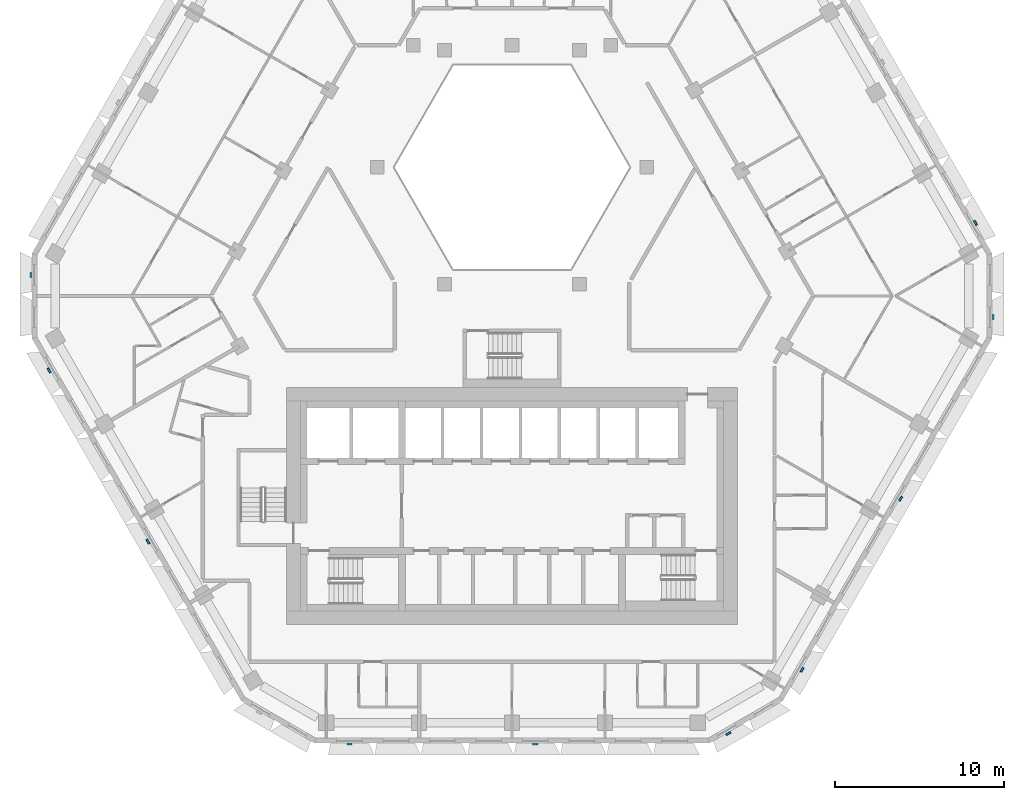
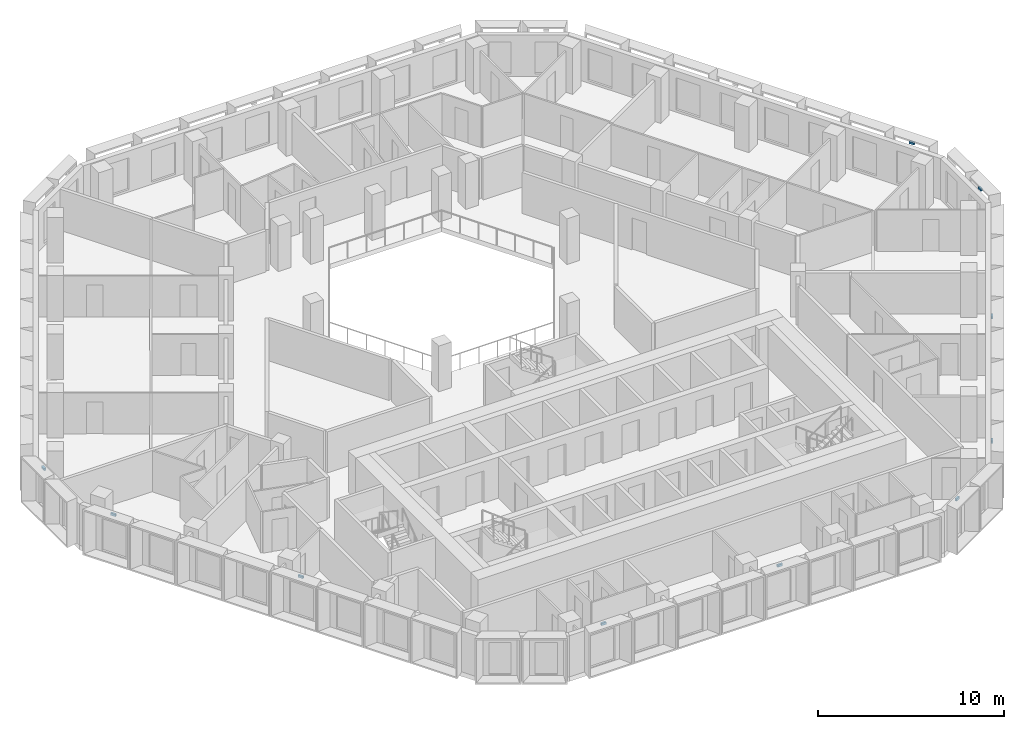
# One storey, part 11 of 18: 10 discrete accessories.
"""IFC4 building model written with IfcOpenShell, lengths in metres."""

from ifc_helpers import new_model, si_unit, direction, frame, origin, place, context, subcontext, project, spatial, polyline, outline, extrude, source, transform, mapped, material, type_object, type_shapes, element, save


model = new_model("IFC4")

# Units and contexts
model_context = context("Model", 3, precision=1e-05, world=origin(), true_north=direction((0.0, 1.0)))
body_context = subcontext(model_context, "Body", "Model", "MODEL_VIEW")
ifc_project = project(units=[si_unit("LENGTHUNIT", "METRE"), si_unit("AREAUNIT", "SQUARE_METRE"), si_unit("VOLUMEUNIT", "CUBIC_METRE"), si_unit("PLANEANGLEUNIT", "RADIAN"), si_unit("MASSUNIT", "GRAM", prefix="KILO")], contexts=[model_context])

# Site, building, storey
site_placement = place(None, origin())
site = spatial("IfcSite", under=ifc_project, at=site_placement, CompositionType="ELEMENT")
building_placement = place(site_placement, origin())
building = spatial("IfcBuilding", under=site, at=building_placement, Name="Beryl Residences", CompositionType="ELEMENT")
storey_placement = place(building_placement, frame((0.0, 0.0, 138.60009765625)))
storey = spatial("IfcBuildingStorey", under=building, at=storey_placement, Name="L42", CompositionType="ELEMENT", Elevation=138.60009765625)

# Discrete accessories
ifc_material = material(Name="Steel S355", Category="steel")
discrete_accessory_type = type_object("IfcDiscreteAccessoryType", Name="BR1 frame bracket 300 x 120 x 150 mm", PredefinedType="BRACKET", material=ifc_material)
shared_shape = source(origin(), body_context, "Body", "SweptSolid", [
    extrude(outline(polyline([(-0.14990234375, 0.0), (0.14990234375, 0.0), (0.14990234375, 0.1201171875), (-0.14990234375, 0.1201171875), (-0.14990234375, 0.0)])), origin(), (0.0, 0.0, 1.0), 0.14990234375),
])
type_shapes(discrete_accessory_type, [shared_shape])
for number, where, z_axis, x_axis, name in (
    (1, (-28.347900390625, 1.64990234375, 2.75), (0.0, 0.0, 1.0), (0.0, 1.0, 0.0), "BR1 bracket L42 NW-SW 1"),
    (2, (-27.27294921875, -3.9619140625, 2.75), (0.0, 0.0, 1.0), (-0.5, 0.866025403784, 0.0), "BR1 bracket L42 SW 1"),
    (3, (-21.44189453125, -14.06201171875, 2.75), (0.0, 0.0, 1.0), (-0.5, 0.866025403784, 0.0), "BR1 bracket L42 SW 5"),
    (4, (-9.597900390625, -26.0, 2.75), (0.0, 0.0, 1.0), (-1.0, 0.0, 0.0), "BR1 bracket L42 S 1"),
    (5, (1.3720703125, -26.0, 2.75), (0.0, 0.0, 1.0), (-1.0, 0.0, 0.0), "BR1 bracket L42 S 5"),
    (6, (12.7451171875, -25.375, 2.75), (0.0, 0.0, 1.0), (-0.866025403784, -0.5, 0.0), "BR1 bracket L42 S-SE 1"),
    (7, (17.06689453125, -21.637939453125, 2.75), (0.0, 0.0, 1.0), (-0.5, -0.866025403784, 0.0), "BR1 bracket L42 SE 1"),
    (8, (22.89794921875, -11.5380859375, 2.75), (0.0, 0.0, 1.0), (-0.5, -0.866025403784, 0.0), "BR1 bracket L42 SE 5"),
    (9, (28.347900390625, -0.85009765625, 2.75), (0.0, 0.0, 1.0), (0.0, -1.0, 0.0), "BR1 bracket L42 SE-NE 1"),
    (10, (27.31591796875, 4.68701171875, 2.75), (0.0, 0.0, 1.0), (0.5, -0.866025403784, 0.0), "BR1 bracket L42 NE 1"),
):
    element("IfcDiscreteAccessory", number, at=place(storey_placement, frame(where, z_axis=z_axis, x_axis=x_axis)), inside=storey, type_object=discrete_accessory_type, Name=name, PredefinedType="BRACKET", context=body_context, shape_type="MappedRepresentation", body=[
        mapped(shared_shape, transform((0.0, 0.0, 0.0))),
    ])

save(model, "model.ifc")
